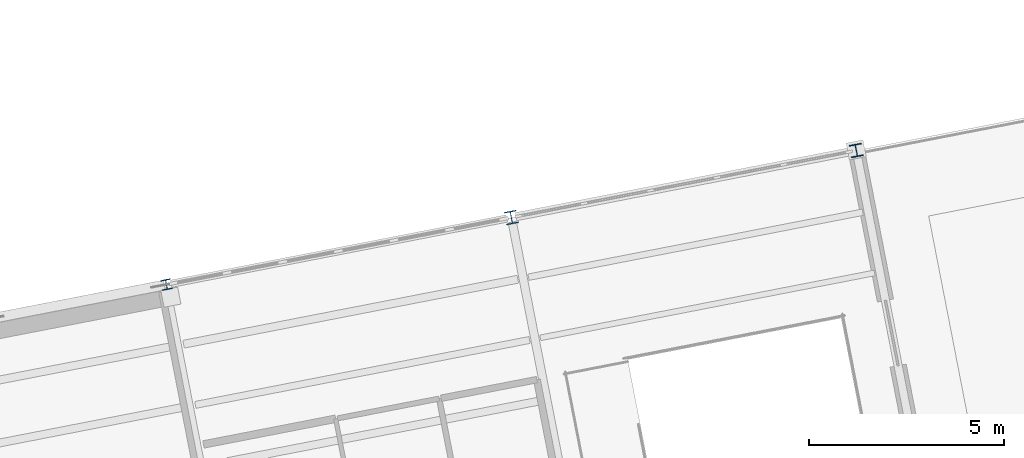
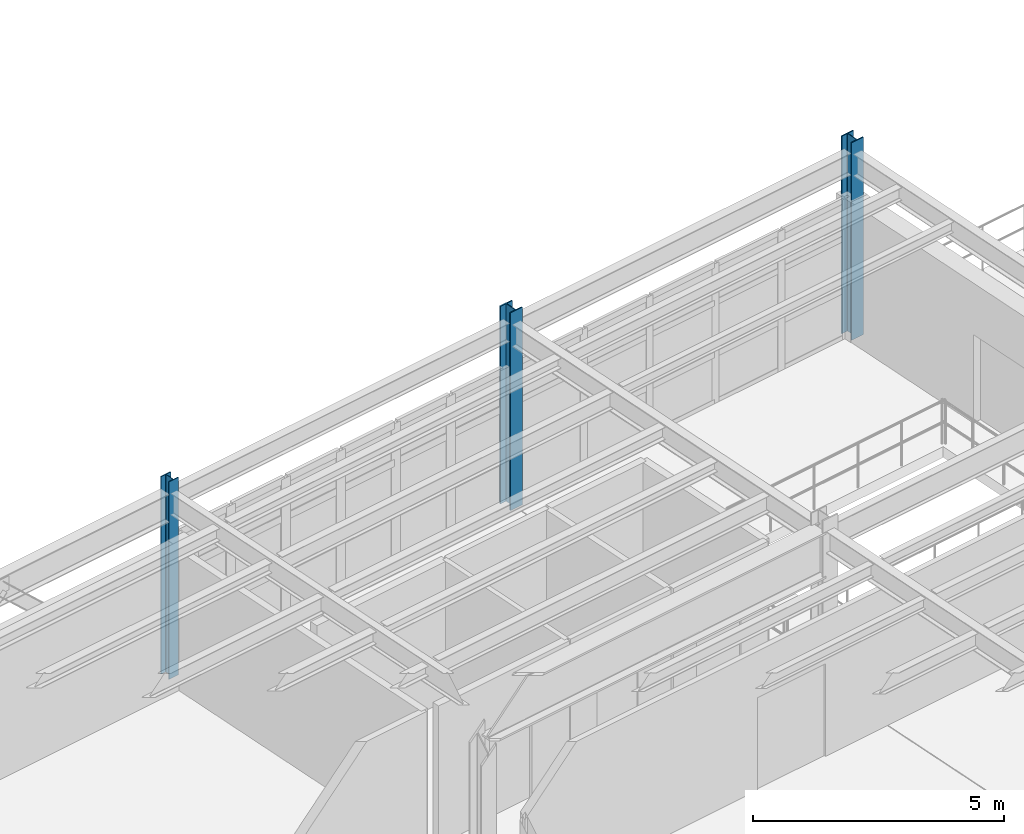
# One storey, part 2 of 102: 3 columns.
"""IFC4 building model written with IfcOpenShell, lengths in metres."""

from ifc_helpers import new_model, si_unit, direction, frame, origin, origin_2d, place, context, subcontext, project, spatial, i_section, extrude, material, material_profile, profile_set, type_object, element, save


model = new_model("IFC4")

# Units and contexts
model_context = context("Model", 3, precision=1e-05, world=origin(), true_north=direction((0.0, 1.0)))
body_context = subcontext(model_context, "Body", "Model", "MODEL_VIEW")
ifc_project = project(units=[si_unit("LENGTHUNIT", "METRE"), si_unit("AREAUNIT", "SQUARE_METRE"), si_unit("VOLUMEUNIT", "CUBIC_METRE"), si_unit("PLANEANGLEUNIT", "RADIAN"), si_unit("MASSUNIT", "GRAM", prefix="KILO")], contexts=[model_context])

# Site, building, storey
site_placement = place(None, origin())
site = spatial("IfcSite", under=ifc_project, at=site_placement, CompositionType="ELEMENT")
building_placement = place(site_placement, origin())
building = spatial("IfcBuilding", under=site, at=building_placement, Name="Vireo Bluff Cable Station", CompositionType="ELEMENT")
storey_placement = place(building_placement, frame((0.0, 0.0, 9.60009765625)))
storey = spatial("IfcBuildingStorey", under=building, at=storey_placement, Name="L02", CompositionType="ELEMENT", Elevation=9.60009765625)

# Columns
ifc_material = material(Name="Steel ASTM A992 Gr. 50", Category="steel")
ifc_material_profile_1 = material_profile(ifc_material, i_section(OverallWidth=0.31298828125, OverallDepth=0.3330078125, WebThickness=0.01806640625, FlangeThickness=0.028076171875, FilletRadius=0.012939453125, at=origin_2d()), Name="W12X120")
ifc_profile_set_1 = profile_set([ifc_material_profile_1], Name="Steel ASTM A992 Gr. 50")
column_type_1 = type_object("IfcColumnType", Name="ECOL-W12X120", PredefinedType="COLUMN", material=ifc_profile_set_1)
column_1_placement = place(storey_placement, frame((23.5439453125, 27.58544921875, 0.0), z_axis=(0.0, 0.0, 1.0), x_axis=(0.981627183448, 0.190808995377, 0.0)))
element("IfcColumn", 1, at=column_1_placement, inside=storey, type_object=column_type_1, Name="V5 L02 column 360", PredefinedType="COLUMN", context=body_context, shape_type="SweptSolid", body=[
    extrude(i_section(OverallWidth=0.31298828125, OverallDepth=0.3330078125, WebThickness=0.01806640625, FlangeThickness=0.028076171875, FilletRadius=0.012939453125, at=origin_2d()), origin(), (0.0, 0.0, 1.0), 4.7998046875),
])
ifc_material_profile_2 = material_profile(ifc_material, i_section(OverallWidth=0.30908203125, OverallDepth=0.322998046875, WebThickness=0.013916015625, FlangeThickness=0.02294921875, FilletRadius=0.012939453125, at=origin_2d()), Name="W12X96")
ifc_profile_set_2 = profile_set([ifc_material_profile_2], Name="Steel ASTM A992 Gr. 50")
column_type_2 = type_object("IfcColumnType", Name="ECOL-W12X96", PredefinedType="COLUMN", material=ifc_profile_set_2)
column_2_placement = place(storey_placement, frame((32.378662109375, 29.302734375, 0.0), z_axis=(0.0, 0.0, 1.0), x_axis=(0.981627183448, 0.190808995377, 0.0)))
element("IfcColumn", 2, at=column_2_placement, inside=storey, type_object=column_type_2, Name="V5 L02 column 371", PredefinedType="COLUMN", context=body_context, shape_type="SweptSolid", body=[
    extrude(i_section(OverallWidth=0.30908203125, OverallDepth=0.322998046875, WebThickness=0.013916015625, FlangeThickness=0.02294921875, FilletRadius=0.012939453125, at=origin_2d()), origin(), (0.0, 0.0, 1.0), 4.7998046875),
])
ifc_material_profile_3 = material_profile(ifc_material, i_section(OverallWidth=0.2548828125, OverallDepth=0.256103515625, WebThickness=0.009521484375, FlangeThickness=0.015625, FilletRadius=0.009033203125, at=origin_2d()), Name="W10X54")
ifc_profile_set_3 = profile_set([ifc_material_profile_3], Name="Steel ASTM A992 Gr. 50")
column_type_3 = type_object("IfcColumnType", Name="PIL-W10X54", PredefinedType="PILASTER", material=ifc_profile_set_3)
column_3_placement = place(storey_placement, frame((14.709228515625, 25.8681640625, 0.0), z_axis=(0.0, 0.0, 1.0), x_axis=(0.981627183448, 0.190808995377, 0.0)))
element("IfcColumn", 3, at=column_3_placement, inside=storey, type_object=column_type_3, Name="V5 L02 column 349", PredefinedType="PILASTER", context=body_context, shape_type="SweptSolid", body=[
    extrude(i_section(OverallWidth=0.2548828125, OverallDepth=0.256103515625, WebThickness=0.009521484375, FlangeThickness=0.015625, FilletRadius=0.009033203125, at=origin_2d()), origin(), (0.0, 0.0, 1.0), 4.7998046875),
])

save(model, "model.ifc")
